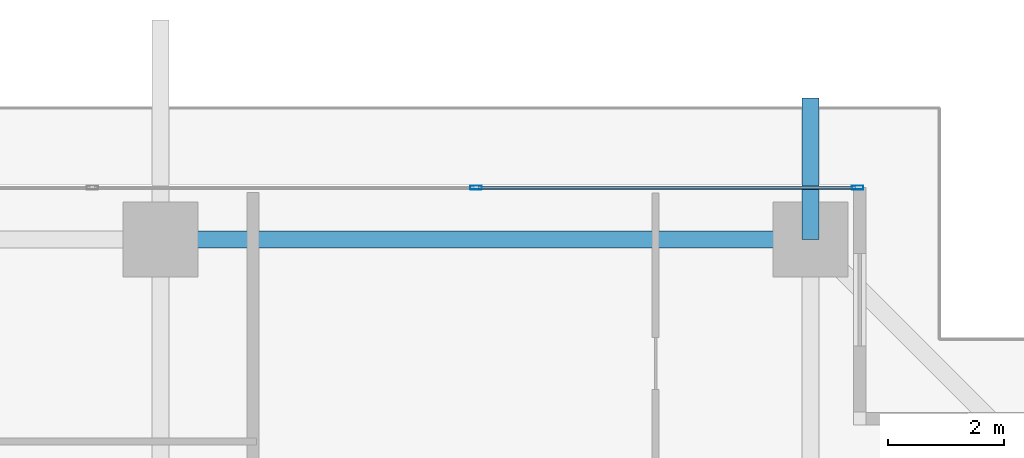
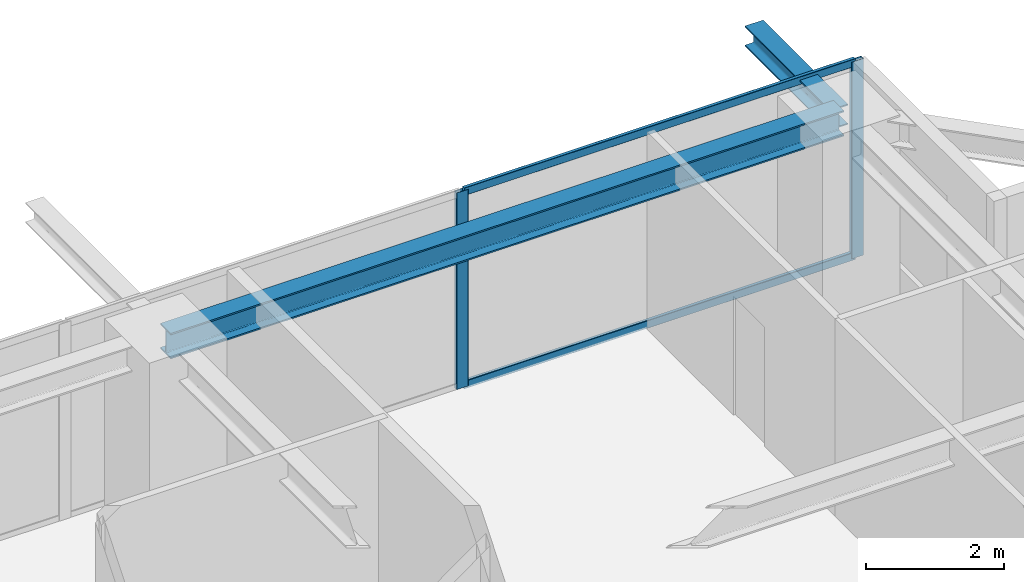
# One storey, part 25 of 38: 4 members, 2 beams, 1 element without a shape of its own.
"""IFC4 building model written with IfcOpenShell, lengths in metres."""

from ifc_helpers import new_model, si_unit, direction, frame, origin, origin_2d, place, context, subcontext, project, spatial, hollow_rectangle, i_section, extrude, source, transform, mapped, material, layer, layer_set, material_profile, profile_set, type_object, element, aggregate, save


model = new_model("IFC4")

# Units and contexts
model_context = context("Model", 3, precision=1e-05, world=origin(), true_north=direction((0.0, 1.0)))
body_context = subcontext(model_context, "Body", "Model", "MODEL_VIEW")
ifc_project = project(units=[si_unit("LENGTHUNIT", "METRE"), si_unit("AREAUNIT", "SQUARE_METRE"), si_unit("VOLUMEUNIT", "CUBIC_METRE"), si_unit("PLANEANGLEUNIT", "RADIAN"), si_unit("MASSUNIT", "GRAM", prefix="KILO")], contexts=[model_context])

# Site, building, storey
site_placement = place(None, origin())
site = spatial("IfcSite", under=ifc_project, at=site_placement, CompositionType="ELEMENT")
building_placement = place(site_placement, origin())
building = spatial("IfcBuilding", under=site, at=building_placement, Name="Serunith Strait Residences", CompositionType="ELEMENT")
storey_placement = place(building_placement, frame((0.0, 0.0, 176.39990234375)))
storey = spatial("IfcBuildingStorey", under=building, at=storey_placement, Name="L44", CompositionType="ELEMENT", Elevation=176.39990234375)

# Beams
ifc_material_1 = material(Name="Steel S355J2", Category="steel")
ifc_material_profile_1 = material_profile(ifc_material_1, i_section(OverallWidth=0.300048828125, OverallDepth=0.449951171875, WebThickness=0.013916015625, FlangeThickness=0.02587890625, FilletRadius=0.027099609375, at=origin_2d()), Name="HEB 450")
ifc_profile_set_1 = profile_set([ifc_material_profile_1], Name="Steel S355J2")
beam_type_1 = type_object("IfcBeamType", Name="BM-HEB450", PredefinedType="BEAM", material=ifc_profile_set_1)
shared_shape_1 = source(origin(), body_context, "Body", "SweptSolid", [
    extrude(i_section(OverallWidth=0.300048828125, OverallDepth=0.449951171875, WebThickness=0.013916015625, FlangeThickness=0.02587890625, FilletRadius=0.027099609375, at=origin_2d()), origin(), (0.0, 0.0, 1.0), 11.25),
])
beam_1_placement = place(storey_placement, frame((48.14990234375, 48.10009765625, 3.26220703125), z_axis=(-1.0, 0.0, 0.0), x_axis=(0.0, -1.0, 0.0)))
element("IfcBeam", 1, at=beam_1_placement, inside=storey, type_object=beam_type_1, Name="L44 Perimeter Ring Beam 09", PredefinedType="BEAM", context=body_context, shape_type="MappedRepresentation", body=[
    mapped(shared_shape_1, transform((0.0, 0.0, 0.0), scale=1.0)),
])
ifc_material_profile_2 = material_profile(ifc_material_1, i_section(OverallWidth=0.300048828125, OverallDepth=0.360107421875, WebThickness=0.012451171875, FlangeThickness=0.0224609375, FilletRadius=0.027099609375, at=origin_2d()), Name="HEB 360")
ifc_profile_set_2 = profile_set([ifc_material_profile_2], Name="Steel S355J2")
beam_type_2 = type_object("IfcBeamType", Name="BM-HEB360", PredefinedType="BEAM", material=ifc_profile_set_2)
shared_shape_2 = source(origin(), body_context, "Body", "SweptSolid", [
    extrude(i_section(OverallWidth=0.300048828125, OverallDepth=0.360107421875, WebThickness=0.012451171875, FlangeThickness=0.0224609375, FilletRadius=0.027099609375, at=origin_2d()), origin(), (0.0, 0.0, 1.0), 2.452880859375),
])
beam_2_placement = place(storey_placement, frame((48.14990234375, 48.10009765625, 3.277099609375), z_axis=(0.0, 1.0, 0.0), x_axis=(-1.0, 0.0, 0.0)))
element("IfcBeam", 2, at=beam_2_placement, inside=storey, type_object=beam_type_2, Name="L45 Cantilevered Balcony Rib TC-N4", PredefinedType="BEAM", context=body_context, shape_type="MappedRepresentation", body=[
    mapped(shared_shape_2, transform((0.0, 0.0, 0.0), scale=1.0)),
])

# Curtain wall, members
ifc_material_2 = material(Name="Pale-Champagne Anodised Aluminium", Category="aluminium")
ifc_layer = layer(ifc_material_2, 0.199951171875, Name="Pale-Champagne Anodised Aluminium")
ifc_layer_set = layer_set([ifc_layer], Name="Pale-Champagne Anodised Aluminium")
curtain_wall_type = type_object("IfcCurtainWallType", Name="CW-SYS2", PredefinedType="NOTDEFINED", material=ifc_layer_set)
curtain_wall_placement = place(storey_placement, origin())
curtain_wall = element("IfcCurtainWall", 3, at=curtain_wall_placement, inside=storey, type_object=curtain_wall_type, Name="L44 N Unitised Fritted Curtain Wall", PredefinedType="NOTDEFINED")
ifc_material_profile_3 = material_profile(ifc_material_2, hollow_rectangle(XDim=0.070068359375, YDim=0.199951171875, WallThickness=0.00390625, InnerFilletRadius=0.006103515625, OuterFilletRadius=0.010009765625, at=origin_2d()), Name="ALU 200x70x4")
ifc_profile_set_3 = profile_set([ifc_material_profile_3], Name="Pale-Champagne Anodised Aluminium")
member_type_1 = type_object("IfcMemberType", Name="CW-SYS2-MULL", PredefinedType="MULLION", material=ifc_profile_set_3)
shared_shape_3 = source(origin(), body_context, "Body", "SweptSolid", [
    extrude(hollow_rectangle(XDim=0.070068359375, YDim=0.199951171875, WallThickness=0.00390625, InnerFilletRadius=0.006103515625, OuterFilletRadius=0.010009765625, at=origin_2d()), origin(), (0.0, 0.0, 1.0), 3.47509765625),
])
member_1_placement = place(storey_placement, frame((48.965087890625, 49.0, 0.0), z_axis=(0.0, 0.0, 1.0), x_axis=(0.0, -1.0, 0.0)))
member_1 = element("IfcMember", 4, at=member_1_placement, type_object=member_type_1, Name="CW-2 mullion 1", PredefinedType="MULLION", context=body_context, shape_type="MappedRepresentation", body=[
    mapped(shared_shape_3, transform((0.0, 0.0, 0.0), scale=1.0)),
])
member_2_placement = place(storey_placement, frame((42.360107421875, 49.0, 0.0), z_axis=(0.0, 0.0, 1.0), x_axis=(0.0, -1.0, 0.0)))
member_2 = element("IfcMember", 5, at=member_2_placement, type_object=member_type_1, Name="CW-2 mullion 2", PredefinedType="MULLION", context=body_context, shape_type="MappedRepresentation", body=[
    mapped(shared_shape_3, transform((0.0, 0.0, 0.0), scale=1.0)),
])
ifc_material_profile_4 = material_profile(ifc_material_2, hollow_rectangle(XDim=0.06005859375, YDim=0.139892578125, WallThickness=0.00341796875, InnerFilletRadius=0.00537109375, OuterFilletRadius=0.0087890625, at=origin_2d()), Name="ALU 140x60x3.5")
ifc_profile_set_4 = profile_set([ifc_material_profile_4], Name="Pale-Champagne Anodised Aluminium")
member_type_2 = type_object("IfcMemberType", Name="CW-SYS2-TRAN", PredefinedType="USERDEFINED", material=ifc_profile_set_4)
shared_shape_4 = source(origin(), body_context, "Body", "SweptSolid", [
    extrude(hollow_rectangle(XDim=0.06005859375, YDim=0.139892578125, WallThickness=0.00341796875, InnerFilletRadius=0.00537109375, OuterFilletRadius=0.0087890625, at=origin_2d()), origin(), (0.0, 0.0, 1.0), 6.534912109375),
])
member_3_placement = place(storey_placement, frame((48.929931640625, 49.0, 0.030029296875), z_axis=(-1.0, 0.0, 0.0), x_axis=(0.0, -1.0, 0.0)))
member_3 = element("IfcMember", 6, at=member_3_placement, type_object=member_type_2, Name="CW-2 transom 1.1", ObjectType="TRANSOM", PredefinedType="USERDEFINED", context=body_context, shape_type="MappedRepresentation", body=[
    mapped(shared_shape_4, transform((0.0, 0.0, 0.0), scale=1.0)),
])
member_4_placement = place(storey_placement, frame((48.929931640625, 49.0, 3.445068359375), z_axis=(-1.0, 0.0, 0.0), x_axis=(0.0, -1.0, 0.0)))
member_4 = element("IfcMember", 7, at=member_4_placement, type_object=member_type_2, Name="CW-2 transom 1.2", ObjectType="TRANSOM", PredefinedType="USERDEFINED", context=body_context, shape_type="MappedRepresentation", body=[
    mapped(shared_shape_4, transform((0.0, 0.0, 0.0), scale=1.0)),
])
aggregate(curtain_wall, [member_1, member_2, member_3, member_4])

save(model, "model.ifc")
